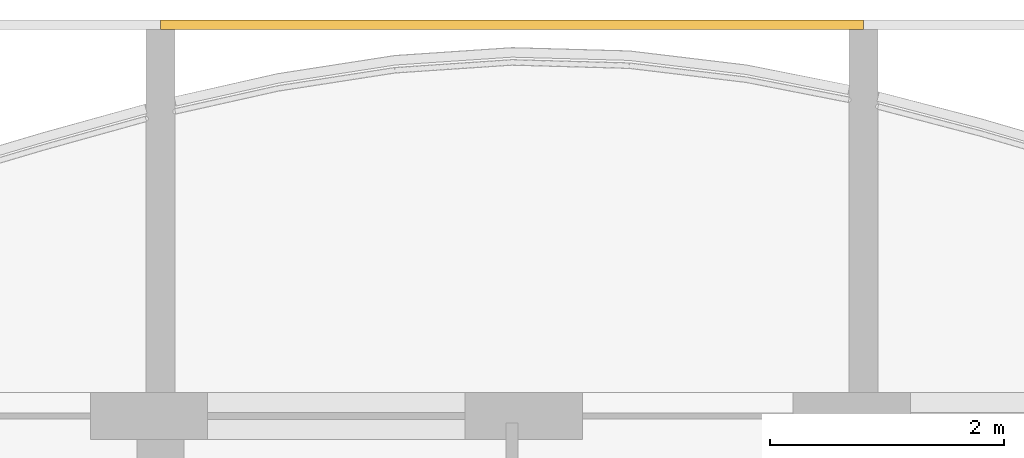
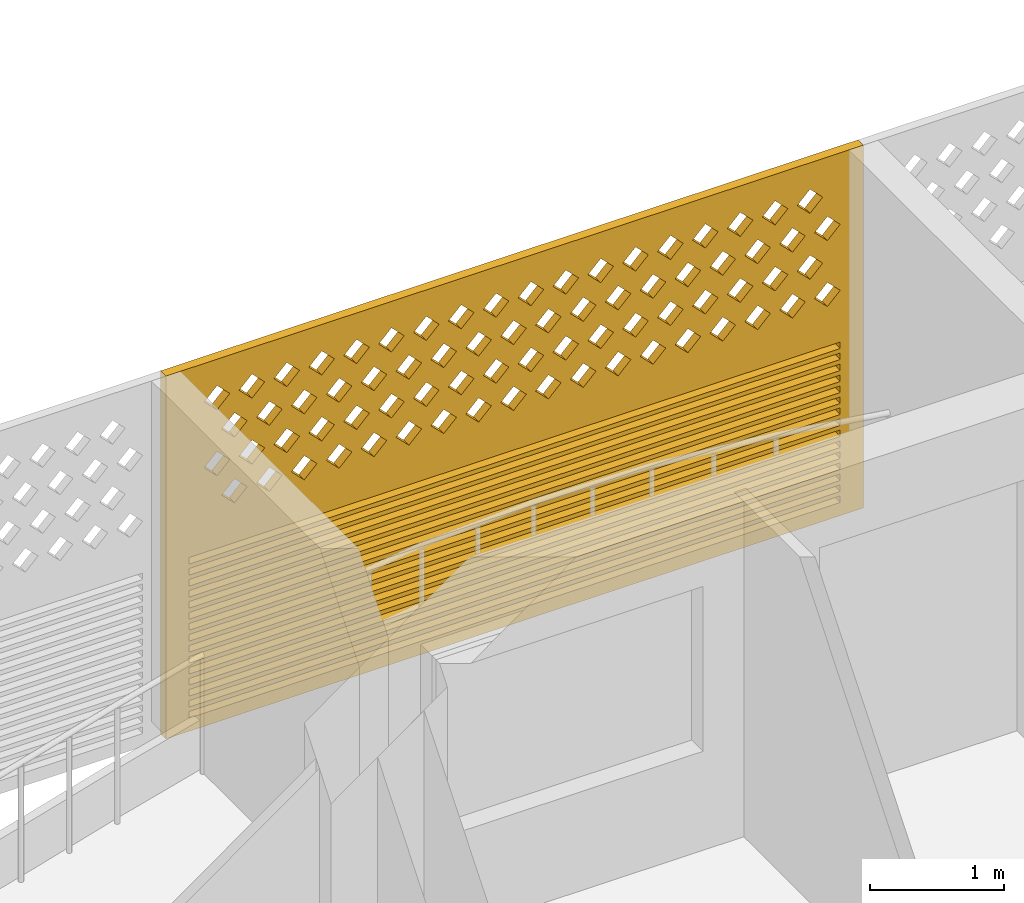
# One storey, part 38 of 40: 1 covering.
"""IFC4 building model written with IfcOpenShell, lengths in metres."""

import ifcopenshell
import ifcopenshell.guid

model = None  # the IFC model being written
_history = None  # IfcOwnerHistory: only IFC2X3 demands one
_inside = {}  # id of a spatial element -> (the spatial element, [elements in it])
_under = {}  # id of a project, library or spatial element -> (it, [spatial elements below it])
_declared = {}  # id of a project -> (the project, [libraries it declares])
_typed = {}  # id of a type object -> (the type object, [elements of that type])
_made_of = {}  # id of a material, layer set ... -> (it, [elements and type objects made of it])


def new_model(schema):
    """Start an empty IFC model of exactly this schema.

    Asked for "IFC4X3", IfcOpenShell would pick the latest addendum, in which some entities
    have other attributes; the version numbers below select the first issue.
    IFC2X3 requires an IfcOwnerHistory on every rooted entity: one is made here for all.
    """
    global model, _history
    if schema == "IFC4X3":
        model = ifcopenshell.file(schema_version=(4, 3, 0, 0))
    else:
        model = ifcopenshell.file(schema=schema)
    _inside.clear()
    _under.clear()
    _declared.clear()
    _typed.clear()
    _made_of.clear()
    _history = None
    if model.schema == "IFC2X3":
        org = make("IfcOrganization", Name="unknown")
        user = make(
            "IfcPersonAndOrganization",
            ThePerson=make("IfcPerson", FamilyName="unknown"),
            TheOrganization=org,
        )
        app = make(
            "IfcApplication",
            ApplicationDeveloper=org,
            Version="unknown",
            ApplicationFullName="unknown",
            ApplicationIdentifier="unknown",
        )
        _history = make(
            "IfcOwnerHistory",
            OwningUser=user,
            OwningApplication=app,
            ChangeAction="ADDED",
            CreationDate=0,
        )
    return model


def make(cls, **values):
    """One entity of the class cls with the attributes given. An attribute that is None is left unset."""
    return model.create_entity(
        cls, **{name: value for name, value in values.items() if value is not None}
    )


def rooted(cls, **values):
    """An entity with a GlobalId (a new one), such as an element, a storey or a relation."""
    return make(cls, GlobalId=ifcopenshell.guid.new(), OwnerHistory=_history, **values)


def si_unit(unit_type, name, prefix=None):
    """IfcSIUnit, for example si_unit("LENGTHUNIT", "METRE", prefix="MILLI")."""
    return make("IfcSIUnit", UnitType=unit_type, Prefix=prefix, Name=name)


def assignment(units):
    """IfcUnitAssignment: the units of a project."""
    return None if units is None else make("IfcUnitAssignment", Units=units)


def point(xyz):
    """IfcCartesianPoint."""
    return None if xyz is None else make("IfcCartesianPoint", Coordinates=xyz)


def direction(xyz):
    """IfcDirection."""
    return None if xyz is None else make("IfcDirection", DirectionRatios=xyz)


def frame(location, z_axis=None, x_axis=None):
    """IfcAxis2Placement3D, a coordinate frame: its origin and axes. An axis left out is left unset."""
    return make(
        "IfcAxis2Placement3D",
        Location=point(location),
        Axis=direction(z_axis),
        RefDirection=direction(x_axis),
    )


def origin():
    """The frame at (0, 0, 0) with its axes left unset."""
    return frame((0.0, 0.0, 0.0))


def place(relative_to, where):
    """IfcLocalPlacement: puts the frame where relative to a parent placement (None: the world)."""
    return make(
        "IfcLocalPlacement", PlacementRelTo=relative_to, RelativePlacement=where
    )


def context(
    kind, dimensions, precision=None, world=None, true_north=None, identifier=None
):
    """IfcGeometricRepresentationContext, for example the 3D "Model" context."""
    return make(
        "IfcGeometricRepresentationContext",
        ContextIdentifier=identifier,
        ContextType=kind,
        CoordinateSpaceDimension=dimensions,
        Precision=precision,
        WorldCoordinateSystem=world,
        TrueNorth=true_north,
    )


def subcontext(parent, identifier, kind, view, scale=None):
    """IfcGeometricRepresentationSubContext, for example "Body" below "Model"."""
    return make(
        "IfcGeometricRepresentationSubContext",
        ContextIdentifier=identifier,
        ContextType=kind,
        ParentContext=parent,
        TargetScale=scale,
        TargetView=view,
    )


def project(units=None, contexts=None):
    """IfcProject with its units and contexts."""
    return rooted(
        "IfcProject",
        Name="project",
        RepresentationContexts=contexts,
        UnitsInContext=assignment(units),
    )


def spatial(cls, under=None, at=None, **own):
    """A site, building, storey or space (cls), placed at a placement, below another one or the project."""
    s = rooted(cls, ObjectPlacement=at, **own)
    if under is not None:
        _under.setdefault(under.id(), (under, []))[1].append(s)
    return s


def polyline(points):
    """IfcPolyline through the points."""
    return make("IfcPolyline", Points=[point(p) for p in points])


def outline(outer, holes=None, kind="AREA"):
    """IfcArbitraryClosedProfileDef: a profile drawn as a closed curve; with holes, ...WithVoids."""
    if holes is None:
        return make("IfcArbitraryClosedProfileDef", ProfileType=kind, OuterCurve=outer)
    return make(
        "IfcArbitraryProfileDefWithVoids",
        ProfileType=kind,
        OuterCurve=outer,
        InnerCurves=holes,
    )


def extrude(swept, where, along, depth):
    """IfcExtrudedAreaSolid: the profile swept, set in the frame where, extruded along a direction by depth."""
    return make(
        "IfcExtrudedAreaSolid",
        SweptArea=swept,
        Position=where,
        ExtrudedDirection=direction(along),
        Depth=depth,
    )


def shape(context_of_items, identifier, shape_type, items):
    """IfcShapeRepresentation: the items that make up one representation, for example the "Body"."""
    return make(
        "IfcShapeRepresentation",
        ContextOfItems=context_of_items,
        RepresentationIdentifier=identifier,
        RepresentationType=shape_type,
        Items=items,
    )


def source(mapping_origin, context_of_items, identifier, shape_type, items):
    """IfcRepresentationMap: a shape defined once, which mapped items show again and again."""
    return make(
        "IfcRepresentationMap",
        MappingOrigin=mapping_origin,
        MappedRepresentation=shape(context_of_items, identifier, shape_type, items),
    )


def transform(
    local_origin,
    x_axis=None,
    y_axis=None,
    z_axis=None,
    scale=None,
    scale2=None,
    scale3=None,
    uniform=True,
):
    """IfcCartesianTransformationOperator3D, or its non-uniform kind. x_axis, y_axis, z_axis: its Axis1, 2, 3."""
    if uniform:
        return make(
            "IfcCartesianTransformationOperator3D",
            Axis1=direction(x_axis),
            Axis2=direction(y_axis),
            LocalOrigin=point(local_origin),
            Scale=scale,
            Axis3=direction(z_axis),
        )
    return make(
        "IfcCartesianTransformationOperator3DnonUniform",
        Axis1=direction(x_axis),
        Axis2=direction(y_axis),
        LocalOrigin=point(local_origin),
        Scale=scale,
        Axis3=direction(z_axis),
        Scale2=scale2,
        Scale3=scale3,
    )


def mapped(mapping_source, mapping_target):
    """IfcMappedItem: shows the shape of a source again, moved by a transform."""
    return make(
        "IfcMappedItem", MappingSource=mapping_source, MappingTarget=mapping_target
    )


def material(Name=None, Category=None):
    """IfcMaterial."""
    return make("IfcMaterial", Name=Name, Category=Category)


def material_profile(
    of_material, cross_section, Name=None, Category=None, Priority=None
):
    """IfcMaterialProfile: a cross section and its material."""
    return make(
        "IfcMaterialProfile",
        Name=Name,
        Material=of_material,
        Profile=cross_section,
        Priority=Priority,
        Category=Category,
    )


def profile_set(profiles, Name=None, composite=None):
    """IfcMaterialProfileSet."""
    return make(
        "IfcMaterialProfileSet",
        Name=Name,
        MaterialProfiles=profiles,
        CompositeProfile=composite,
    )


def made_of(thing, what):
    """Note that an element or type object is made of a material, layer set ...; save() writes the relation."""
    if what is not None:
        _made_of.setdefault(what.id(), (what, []))[1].append(thing)
    return thing


def type_object(cls, material=None, **own):
    """A type object (cls), such as IfcWallType, which elements share."""
    return made_of(rooted(cls, **own), material)


def element(
    cls,
    number,
    at=None,
    inside=None,
    cuts=None,
    type_object=None,
    material=None,
    context=None,
    identifier="Body",
    shape_type=None,
    held_by="IfcProductDefinitionShape",
    body=None,
    shapes=None,
    **own,
):
    """One element of the class cls, such as IfcWall. Its Tag is "e" and its number.

    at: its placement. inside: the storey or other place that contains it. cuts: it is an
    opening in that element (IfcRelVoidsElement). A single representation is given by context,
    identifier, shape_type and body (its items); several are given by shapes. held_by: the class
    of the entity that holds the representations. save() writes the other relations.
    """
    e = rooted(cls, Tag="e%d" % number, ObjectPlacement=at, **own)
    if body is not None:
        shapes = [shape(context, identifier, shape_type, body)]
    if shapes is not None:
        e.Representation = make(held_by, Representations=shapes)
    if inside is not None:
        _inside.setdefault(inside.id(), (inside, []))[1].append(e)
    if cuts is not None:
        rooted(
            "IfcRelVoidsElement", RelatingBuildingElement=cuts, RelatedOpeningElement=e
        )
    if type_object is not None:
        _typed.setdefault(type_object.id(), (type_object, []))[1].append(e)
    return made_of(e, material)


def aggregate(whole, parts):
    """IfcRelAggregates: a whole, such as a stair, and the parts it consists of."""
    return rooted("IfcRelAggregates", RelatingObject=whole, RelatedObjects=parts)


def save(model, path):
    """Write the relations noted so far, then the file.

    IfcRelAggregates (storeys below a building ...), IfcRelContainedInSpatialStructure (elements
    in a storey), IfcRelDefinesByType, IfcRelAssociatesMaterial and IfcRelDeclares: one each for
    every whole, place, type object, material and project.
    """
    for whole, parts in _under.values():
        aggregate(whole, parts)
    for where, things in _inside.values():
        rooted(
            "IfcRelContainedInSpatialStructure",
            RelatedElements=things,
            RelatingStructure=where,
        )
    for kind, things in _typed.values():
        rooted("IfcRelDefinesByType", RelatedObjects=things, RelatingType=kind)
    for what, things in _made_of.values():
        rooted("IfcRelAssociatesMaterial", RelatedObjects=things, RelatingMaterial=what)
    for by, libraries in _declared.values():
        rooted("IfcRelDeclares", RelatingContext=by, RelatedDefinitions=libraries)
    model.write(path)


model = new_model("IFC4")

# Units and contexts
model_context = context("Model", 3, precision=1e-05, world=origin(), true_north=direction((0.0, 1.0)))
body_context = subcontext(model_context, "Body", "Model", "MODEL_VIEW")
ifc_project = project(units=[si_unit("LENGTHUNIT", "METRE"), si_unit("AREAUNIT", "SQUARE_METRE"), si_unit("VOLUMEUNIT", "CUBIC_METRE"), si_unit("PLANEANGLEUNIT", "RADIAN"), si_unit("MASSUNIT", "GRAM", prefix="KILO")], contexts=[model_context])

# Site, building, storey
site_placement = place(None, origin())
site = spatial("IfcSite", under=ifc_project, at=site_placement, CompositionType="ELEMENT")
building_placement = place(site_placement, origin())
building = spatial("IfcBuilding", under=site, at=building_placement, Name="Poui Terraces", CompositionType="ELEMENT")
storey_placement = place(building_placement, frame((0.0, 0.0, 36.60009765625)))
storey = spatial("IfcBuildingStorey", under=building, at=storey_placement, Name="L09", CompositionType="ELEMENT", Elevation=36.60009765625)

# Covering
ifc_material = material(Name="Terracotta screen", Category="masonry")
ifc_material_profile = material_profile(ifc_material, outline(polyline([(-3.0, -1.64990234375), (3.0, -1.64990234375), (3.0, 1.64990234375), (-3.0, 1.64990234375), (-3.0, -1.64990234375)]), holes=[polyline([(-2.800048828125, 0.39990234375), (-2.68994140625, 0.2900390625), (-2.580078125, 0.39990234375), (-2.68994140625, 0.510009765625), (-2.800048828125, 0.39990234375)]), polyline([(-2.5, 0.39990234375), (-2.389892578125, 0.2900390625), (-2.280029296875, 0.39990234375), (-2.389892578125, 0.510009765625), (-2.5, 0.39990234375)]), polyline([(-2.199951171875, 0.39990234375), (-2.090087890625, 0.2900390625), (-1.97998046875, 0.39990234375), (-2.090087890625, 0.510009765625), (-2.199951171875, 0.39990234375)]), polyline([(-1.89990234375, 0.39990234375), (-1.7900390625, 0.2900390625), (-1.679931640625, 0.39990234375), (-1.7900390625, 0.510009765625), (-1.89990234375, 0.39990234375)]), polyline([(-1.60009765625, 0.39990234375), (-1.489990234375, 0.2900390625), (-1.3798828125, 0.39990234375), (-1.489990234375, 0.510009765625), (-1.60009765625, 0.39990234375)]), polyline([(-1.300048828125, 0.39990234375), (-1.18994140625, 0.2900390625), (-1.080078125, 0.39990234375), (-1.18994140625, 0.510009765625), (-1.300048828125, 0.39990234375)]), polyline([(-1.0, 0.39990234375), (-0.889892578125, 0.2900390625), (-0.780029296875, 0.39990234375), (-0.889892578125, 0.510009765625), (-1.0, 0.39990234375)]), polyline([(-0.699951171875, 0.39990234375), (-0.590087890625, 0.2900390625), (-0.47998046875, 0.39990234375), (-0.590087890625, 0.510009765625), (-0.699951171875, 0.39990234375)]), polyline([(-0.39990234375, 0.39990234375), (-0.2900390625, 0.2900390625), (-0.179931640625, 0.39990234375), (-0.2900390625, 0.510009765625), (-0.39990234375, 0.39990234375)]), polyline([(-0.10009765625, 0.39990234375), (0.010009765625, 0.2900390625), (0.1201171875, 0.39990234375), (0.010009765625, 0.510009765625), (-0.10009765625, 0.39990234375)]), polyline([(0.199951171875, 0.39990234375), (0.31005859375, 0.2900390625), (0.419921875, 0.39990234375), (0.31005859375, 0.510009765625), (0.199951171875, 0.39990234375)]), polyline([(0.5, 0.39990234375), (0.610107421875, 0.2900390625), (0.719970703125, 0.39990234375), (0.610107421875, 0.510009765625), (0.5, 0.39990234375)]), polyline([(0.800048828125, 0.39990234375), (0.909912109375, 0.2900390625), (1.02001953125, 0.39990234375), (0.909912109375, 0.510009765625), (0.800048828125, 0.39990234375)]), polyline([(1.10009765625, 0.39990234375), (1.2099609375, 0.2900390625), (1.320068359375, 0.39990234375), (1.2099609375, 0.510009765625), (1.10009765625, 0.39990234375)]), polyline([(1.39990234375, 0.39990234375), (1.510009765625, 0.2900390625), (1.6201171875, 0.39990234375), (1.510009765625, 0.510009765625), (1.39990234375, 0.39990234375)]), polyline([(1.699951171875, 0.39990234375), (1.81005859375, 0.2900390625), (1.919921875, 0.39990234375), (1.81005859375, 0.510009765625), (1.699951171875, 0.39990234375)]), polyline([(2.0, 0.39990234375), (2.110107421875, 0.2900390625), (2.219970703125, 0.39990234375), (2.110107421875, 0.510009765625), (2.0, 0.39990234375)]), polyline([(2.300048828125, 0.39990234375), (2.409912109375, 0.2900390625), (2.52001953125, 0.39990234375), (2.409912109375, 0.510009765625), (2.300048828125, 0.39990234375)]), polyline([(-2.64990234375, 0.699951171875), (-2.5400390625, 0.590087890625), (-2.429931640625, 0.699951171875), (-2.5400390625, 0.81005859375), (-2.64990234375, 0.699951171875)]), polyline([(-2.35009765625, 0.699951171875), (-2.239990234375, 0.590087890625), (-2.1298828125, 0.699951171875), (-2.239990234375, 0.81005859375), (-2.35009765625, 0.699951171875)]), polyline([(-2.050048828125, 0.699951171875), (-1.93994140625, 0.590087890625), (-1.830078125, 0.699951171875), (-1.93994140625, 0.81005859375), (-2.050048828125, 0.699951171875)]), polyline([(-1.75, 0.699951171875), (-1.639892578125, 0.590087890625), (-1.530029296875, 0.699951171875), (-1.639892578125, 0.81005859375), (-1.75, 0.699951171875)]), polyline([(-1.449951171875, 0.699951171875), (-1.340087890625, 0.590087890625), (-1.22998046875, 0.699951171875), (-1.340087890625, 0.81005859375), (-1.449951171875, 0.699951171875)]), polyline([(-1.14990234375, 0.699951171875), (-1.0400390625, 0.590087890625), (-0.929931640625, 0.699951171875), (-1.0400390625, 0.81005859375), (-1.14990234375, 0.699951171875)]), polyline([(-0.85009765625, 0.699951171875), (-0.739990234375, 0.590087890625), (-0.6298828125, 0.699951171875), (-0.739990234375, 0.81005859375), (-0.85009765625, 0.699951171875)]), polyline([(-0.550048828125, 0.699951171875), (-0.43994140625, 0.590087890625), (-0.330078125, 0.699951171875), (-0.43994140625, 0.81005859375), (-0.550048828125, 0.699951171875)]), polyline([(-0.25, 0.699951171875), (-0.139892578125, 0.590087890625), (-0.030029296875, 0.699951171875), (-0.139892578125, 0.81005859375), (-0.25, 0.699951171875)]), polyline([(0.050048828125, 0.699951171875), (0.159912109375, 0.590087890625), (0.27001953125, 0.699951171875), (0.159912109375, 0.81005859375), (0.050048828125, 0.699951171875)]), polyline([(0.35009765625, 0.699951171875), (0.4599609375, 0.590087890625), (0.570068359375, 0.699951171875), (0.4599609375, 0.81005859375), (0.35009765625, 0.699951171875)]), polyline([(0.64990234375, 0.699951171875), (0.760009765625, 0.590087890625), (0.8701171875, 0.699951171875), (0.760009765625, 0.81005859375), (0.64990234375, 0.699951171875)]), polyline([(0.949951171875, 0.699951171875), (1.06005859375, 0.590087890625), (1.169921875, 0.699951171875), (1.06005859375, 0.81005859375), (0.949951171875, 0.699951171875)]), polyline([(1.25, 0.699951171875), (1.360107421875, 0.590087890625), (1.469970703125, 0.699951171875), (1.360107421875, 0.81005859375), (1.25, 0.699951171875)]), polyline([(1.550048828125, 0.699951171875), (1.659912109375, 0.590087890625), (1.77001953125, 0.699951171875), (1.659912109375, 0.81005859375), (1.550048828125, 0.699951171875)]), polyline([(1.85009765625, 0.699951171875), (1.9599609375, 0.590087890625), (2.070068359375, 0.699951171875), (1.9599609375, 0.81005859375), (1.85009765625, 0.699951171875)]), polyline([(2.14990234375, 0.699951171875), (2.260009765625, 0.590087890625), (2.3701171875, 0.699951171875), (2.260009765625, 0.81005859375), (2.14990234375, 0.699951171875)]), polyline([(2.449951171875, 0.699951171875), (2.56005859375, 0.590087890625), (2.669921875, 0.699951171875), (2.56005859375, 0.81005859375), (2.449951171875, 0.699951171875)]), polyline([(-2.800048828125, 1.0), (-2.68994140625, 0.889892578125), (-2.580078125, 1.0), (-2.68994140625, 1.110107421875), (-2.800048828125, 1.0)]), polyline([(-2.5, 1.0), (-2.389892578125, 0.889892578125), (-2.280029296875, 1.0), (-2.389892578125, 1.110107421875), (-2.5, 1.0)]), polyline([(-2.199951171875, 1.0), (-2.090087890625, 0.889892578125), (-1.97998046875, 1.0), (-2.090087890625, 1.110107421875), (-2.199951171875, 1.0)]), polyline([(-1.89990234375, 1.0), (-1.7900390625, 0.889892578125), (-1.679931640625, 1.0), (-1.7900390625, 1.110107421875), (-1.89990234375, 1.0)]), polyline([(-1.60009765625, 1.0), (-1.489990234375, 0.889892578125), (-1.3798828125, 1.0), (-1.489990234375, 1.110107421875), (-1.60009765625, 1.0)]), polyline([(-1.300048828125, 1.0), (-1.18994140625, 0.889892578125), (-1.080078125, 1.0), (-1.18994140625, 1.110107421875), (-1.300048828125, 1.0)]), polyline([(-1.0, 1.0), (-0.889892578125, 0.889892578125), (-0.780029296875, 1.0), (-0.889892578125, 1.110107421875), (-1.0, 1.0)]), polyline([(-0.699951171875, 1.0), (-0.590087890625, 0.889892578125), (-0.47998046875, 1.0), (-0.590087890625, 1.110107421875), (-0.699951171875, 1.0)]), polyline([(-0.39990234375, 1.0), (-0.2900390625, 0.889892578125), (-0.179931640625, 1.0), (-0.2900390625, 1.110107421875), (-0.39990234375, 1.0)]), polyline([(-0.10009765625, 1.0), (0.010009765625, 0.889892578125), (0.1201171875, 1.0), (0.010009765625, 1.110107421875), (-0.10009765625, 1.0)]), polyline([(0.199951171875, 1.0), (0.31005859375, 0.889892578125), (0.419921875, 1.0), (0.31005859375, 1.110107421875), (0.199951171875, 1.0)]), polyline([(0.5, 1.0), (0.610107421875, 0.889892578125), (0.719970703125, 1.0), (0.610107421875, 1.110107421875), (0.5, 1.0)]), polyline([(0.800048828125, 1.0), (0.909912109375, 0.889892578125), (1.02001953125, 1.0), (0.909912109375, 1.110107421875), (0.800048828125, 1.0)]), polyline([(1.10009765625, 1.0), (1.2099609375, 0.889892578125), (1.320068359375, 1.0), (1.2099609375, 1.110107421875), (1.10009765625, 1.0)]), polyline([(1.39990234375, 1.0), (1.510009765625, 0.889892578125), (1.6201171875, 1.0), (1.510009765625, 1.110107421875), (1.39990234375, 1.0)]), polyline([(1.699951171875, 1.0), (1.81005859375, 0.889892578125), (1.919921875, 1.0), (1.81005859375, 1.110107421875), (1.699951171875, 1.0)]), polyline([(2.0, 1.0), (2.110107421875, 0.889892578125), (2.219970703125, 1.0), (2.110107421875, 1.110107421875), (2.0, 1.0)]), polyline([(2.300048828125, 1.0), (2.409912109375, 0.889892578125), (2.52001953125, 1.0), (2.409912109375, 1.110107421875), (2.300048828125, 1.0)]), polyline([(-2.64990234375, 1.300048828125), (-2.5400390625, 1.18994140625), (-2.429931640625, 1.300048828125), (-2.5400390625, 1.409912109375), (-2.64990234375, 1.300048828125)]), polyline([(-2.35009765625, 1.300048828125), (-2.239990234375, 1.18994140625), (-2.1298828125, 1.300048828125), (-2.239990234375, 1.409912109375), (-2.35009765625, 1.300048828125)]), polyline([(-2.050048828125, 1.300048828125), (-1.93994140625, 1.18994140625), (-1.830078125, 1.300048828125), (-1.93994140625, 1.409912109375), (-2.050048828125, 1.300048828125)]), polyline([(-1.75, 1.300048828125), (-1.639892578125, 1.18994140625), (-1.530029296875, 1.300048828125), (-1.639892578125, 1.409912109375), (-1.75, 1.300048828125)]), polyline([(-1.449951171875, 1.300048828125), (-1.340087890625, 1.18994140625), (-1.22998046875, 1.300048828125), (-1.340087890625, 1.409912109375), (-1.449951171875, 1.300048828125)]), polyline([(-1.14990234375, 1.300048828125), (-1.0400390625, 1.18994140625), (-0.929931640625, 1.300048828125), (-1.0400390625, 1.409912109375), (-1.14990234375, 1.300048828125)]), polyline([(-0.85009765625, 1.300048828125), (-0.739990234375, 1.18994140625), (-0.6298828125, 1.300048828125), (-0.739990234375, 1.409912109375), (-0.85009765625, 1.300048828125)]), polyline([(-0.550048828125, 1.300048828125), (-0.43994140625, 1.18994140625), (-0.330078125, 1.300048828125), (-0.43994140625, 1.409912109375), (-0.550048828125, 1.300048828125)]), polyline([(-0.25, 1.300048828125), (-0.139892578125, 1.18994140625), (-0.030029296875, 1.300048828125), (-0.139892578125, 1.409912109375), (-0.25, 1.300048828125)]), polyline([(0.050048828125, 1.300048828125), (0.159912109375, 1.18994140625), (0.27001953125, 1.300048828125), (0.159912109375, 1.409912109375), (0.050048828125, 1.300048828125)]), polyline([(0.35009765625, 1.300048828125), (0.4599609375, 1.18994140625), (0.570068359375, 1.300048828125), (0.4599609375, 1.409912109375), (0.35009765625, 1.300048828125)]), polyline([(0.64990234375, 1.300048828125), (0.760009765625, 1.18994140625), (0.8701171875, 1.300048828125), (0.760009765625, 1.409912109375), (0.64990234375, 1.300048828125)]), polyline([(0.949951171875, 1.300048828125), (1.06005859375, 1.18994140625), (1.169921875, 1.300048828125), (1.06005859375, 1.409912109375), (0.949951171875, 1.300048828125)]), polyline([(1.25, 1.300048828125), (1.360107421875, 1.18994140625), (1.469970703125, 1.300048828125), (1.360107421875, 1.409912109375), (1.25, 1.300048828125)]), polyline([(1.550048828125, 1.300048828125), (1.659912109375, 1.18994140625), (1.77001953125, 1.300048828125), (1.659912109375, 1.409912109375), (1.550048828125, 1.300048828125)]), polyline([(1.85009765625, 1.300048828125), (1.9599609375, 1.18994140625), (2.070068359375, 1.300048828125), (1.9599609375, 1.409912109375), (1.85009765625, 1.300048828125)]), polyline([(2.14990234375, 1.300048828125), (2.260009765625, 1.18994140625), (2.3701171875, 1.300048828125), (2.260009765625, 1.409912109375), (2.14990234375, 1.300048828125)]), polyline([(2.449951171875, 1.300048828125), (2.56005859375, 1.18994140625), (2.669921875, 1.300048828125), (2.56005859375, 1.409912109375), (2.449951171875, 1.300048828125)]), polyline([(-2.800048828125, -1.530029296875), (2.800048828125, -1.530029296875), (2.800048828125, -1.469970703125), (-2.800048828125, -1.469970703125), (-2.800048828125, -1.530029296875)]), polyline([(-2.800048828125, -1.429931640625), (2.800048828125, -1.429931640625), (2.800048828125, -1.3701171875), (-2.800048828125, -1.3701171875), (-2.800048828125, -1.429931640625)]), polyline([(-2.800048828125, -1.330078125), (2.800048828125, -1.330078125), (2.800048828125, -1.27001953125), (-2.800048828125, -1.27001953125), (-2.800048828125, -1.330078125)]), polyline([(-2.800048828125, -1.22998046875), (2.800048828125, -1.22998046875), (2.800048828125, -1.169921875), (-2.800048828125, -1.169921875), (-2.800048828125, -1.22998046875)]), polyline([(-2.800048828125, -1.1298828125), (2.800048828125, -1.1298828125), (2.800048828125, -1.070068359375), (-2.800048828125, -1.070068359375), (-2.800048828125, -1.1298828125)]), polyline([(-2.800048828125, -1.030029296875), (2.800048828125, -1.030029296875), (2.800048828125, -0.969970703125), (-2.800048828125, -0.969970703125), (-2.800048828125, -1.030029296875)]), polyline([(-2.800048828125, -0.929931640625), (2.800048828125, -0.929931640625), (2.800048828125, -0.8701171875), (-2.800048828125, -0.8701171875), (-2.800048828125, -0.929931640625)]), polyline([(-2.800048828125, -0.830078125), (2.800048828125, -0.830078125), (2.800048828125, -0.77001953125), (-2.800048828125, -0.77001953125), (-2.800048828125, -0.830078125)]), polyline([(-2.800048828125, -0.72998046875), (2.800048828125, -0.72998046875), (2.800048828125, -0.669921875), (-2.800048828125, -0.669921875), (-2.800048828125, -0.72998046875)]), polyline([(-2.800048828125, -0.6298828125), (2.800048828125, -0.6298828125), (2.800048828125, -0.570068359375), (-2.800048828125, -0.570068359375), (-2.800048828125, -0.6298828125)]), polyline([(-2.800048828125, -0.530029296875), (2.800048828125, -0.530029296875), (2.800048828125, -0.469970703125), (-2.800048828125, -0.469970703125), (-2.800048828125, -0.530029296875)]), polyline([(-2.800048828125, -0.429931640625), (2.800048828125, -0.429931640625), (2.800048828125, -0.3701171875), (-2.800048828125, -0.3701171875), (-2.800048828125, -0.429931640625)]), polyline([(-2.800048828125, -0.330078125), (2.800048828125, -0.330078125), (2.800048828125, -0.27001953125), (-2.800048828125, -0.27001953125), (-2.800048828125, -0.330078125)]), polyline([(-2.800048828125, -0.22998046875), (2.800048828125, -0.22998046875), (2.800048828125, -0.169921875), (-2.800048828125, -0.169921875), (-2.800048828125, -0.22998046875)]), polyline([(-2.800048828125, -0.1298828125), (2.800048828125, -0.1298828125), (2.800048828125, -0.070068359375), (-2.800048828125, -0.070068359375), (-2.800048828125, -0.1298828125)])]), Name="TERRACOTTA SCREEN AND JALOUSIE LOUVRE 6000X3300")
ifc_profile_set = profile_set([ifc_material_profile], Name="Terracotta screen")
covering_type = type_object("IfcCoveringType", Name="TERRACOTTA SCREEN AND JALOUSIE LOUVRE 6000X3300", PredefinedType="CLADDING", material=ifc_profile_set)
shared_shape = source(origin(), body_context, "Body", "SweptSolid", [
    extrude(outline(polyline([(-3.0, -1.64990234375), (3.0, -1.64990234375), (3.0, 1.64990234375), (-3.0, 1.64990234375), (-3.0, -1.64990234375)]), holes=[polyline([(-2.800048828125, 0.39990234375), (-2.68994140625, 0.2900390625), (-2.580078125, 0.39990234375), (-2.68994140625, 0.510009765625), (-2.800048828125, 0.39990234375)]), polyline([(-2.5, 0.39990234375), (-2.389892578125, 0.2900390625), (-2.280029296875, 0.39990234375), (-2.389892578125, 0.510009765625), (-2.5, 0.39990234375)]), polyline([(-2.199951171875, 0.39990234375), (-2.090087890625, 0.2900390625), (-1.97998046875, 0.39990234375), (-2.090087890625, 0.510009765625), (-2.199951171875, 0.39990234375)]), polyline([(-1.89990234375, 0.39990234375), (-1.7900390625, 0.2900390625), (-1.679931640625, 0.39990234375), (-1.7900390625, 0.510009765625), (-1.89990234375, 0.39990234375)]), polyline([(-1.60009765625, 0.39990234375), (-1.489990234375, 0.2900390625), (-1.3798828125, 0.39990234375), (-1.489990234375, 0.510009765625), (-1.60009765625, 0.39990234375)]), polyline([(-1.300048828125, 0.39990234375), (-1.18994140625, 0.2900390625), (-1.080078125, 0.39990234375), (-1.18994140625, 0.510009765625), (-1.300048828125, 0.39990234375)]), polyline([(-1.0, 0.39990234375), (-0.889892578125, 0.2900390625), (-0.780029296875, 0.39990234375), (-0.889892578125, 0.510009765625), (-1.0, 0.39990234375)]), polyline([(-0.699951171875, 0.39990234375), (-0.590087890625, 0.2900390625), (-0.47998046875, 0.39990234375), (-0.590087890625, 0.510009765625), (-0.699951171875, 0.39990234375)]), polyline([(-0.39990234375, 0.39990234375), (-0.2900390625, 0.2900390625), (-0.179931640625, 0.39990234375), (-0.2900390625, 0.510009765625), (-0.39990234375, 0.39990234375)]), polyline([(-0.10009765625, 0.39990234375), (0.010009765625, 0.2900390625), (0.1201171875, 0.39990234375), (0.010009765625, 0.510009765625), (-0.10009765625, 0.39990234375)]), polyline([(0.199951171875, 0.39990234375), (0.31005859375, 0.2900390625), (0.419921875, 0.39990234375), (0.31005859375, 0.510009765625), (0.199951171875, 0.39990234375)]), polyline([(0.5, 0.39990234375), (0.610107421875, 0.2900390625), (0.719970703125, 0.39990234375), (0.610107421875, 0.510009765625), (0.5, 0.39990234375)]), polyline([(0.800048828125, 0.39990234375), (0.909912109375, 0.2900390625), (1.02001953125, 0.39990234375), (0.909912109375, 0.510009765625), (0.800048828125, 0.39990234375)]), polyline([(1.10009765625, 0.39990234375), (1.2099609375, 0.2900390625), (1.320068359375, 0.39990234375), (1.2099609375, 0.510009765625), (1.10009765625, 0.39990234375)]), polyline([(1.39990234375, 0.39990234375), (1.510009765625, 0.2900390625), (1.6201171875, 0.39990234375), (1.510009765625, 0.510009765625), (1.39990234375, 0.39990234375)]), polyline([(1.699951171875, 0.39990234375), (1.81005859375, 0.2900390625), (1.919921875, 0.39990234375), (1.81005859375, 0.510009765625), (1.699951171875, 0.39990234375)]), polyline([(2.0, 0.39990234375), (2.110107421875, 0.2900390625), (2.219970703125, 0.39990234375), (2.110107421875, 0.510009765625), (2.0, 0.39990234375)]), polyline([(2.300048828125, 0.39990234375), (2.409912109375, 0.2900390625), (2.52001953125, 0.39990234375), (2.409912109375, 0.510009765625), (2.300048828125, 0.39990234375)]), polyline([(-2.64990234375, 0.699951171875), (-2.5400390625, 0.590087890625), (-2.429931640625, 0.699951171875), (-2.5400390625, 0.81005859375), (-2.64990234375, 0.699951171875)]), polyline([(-2.35009765625, 0.699951171875), (-2.239990234375, 0.590087890625), (-2.1298828125, 0.699951171875), (-2.239990234375, 0.81005859375), (-2.35009765625, 0.699951171875)]), polyline([(-2.050048828125, 0.699951171875), (-1.93994140625, 0.590087890625), (-1.830078125, 0.699951171875), (-1.93994140625, 0.81005859375), (-2.050048828125, 0.699951171875)]), polyline([(-1.75, 0.699951171875), (-1.639892578125, 0.590087890625), (-1.530029296875, 0.699951171875), (-1.639892578125, 0.81005859375), (-1.75, 0.699951171875)]), polyline([(-1.449951171875, 0.699951171875), (-1.340087890625, 0.590087890625), (-1.22998046875, 0.699951171875), (-1.340087890625, 0.81005859375), (-1.449951171875, 0.699951171875)]), polyline([(-1.14990234375, 0.699951171875), (-1.0400390625, 0.590087890625), (-0.929931640625, 0.699951171875), (-1.0400390625, 0.81005859375), (-1.14990234375, 0.699951171875)]), polyline([(-0.85009765625, 0.699951171875), (-0.739990234375, 0.590087890625), (-0.6298828125, 0.699951171875), (-0.739990234375, 0.81005859375), (-0.85009765625, 0.699951171875)]), polyline([(-0.550048828125, 0.699951171875), (-0.43994140625, 0.590087890625), (-0.330078125, 0.699951171875), (-0.43994140625, 0.81005859375), (-0.550048828125, 0.699951171875)]), polyline([(-0.25, 0.699951171875), (-0.139892578125, 0.590087890625), (-0.030029296875, 0.699951171875), (-0.139892578125, 0.81005859375), (-0.25, 0.699951171875)]), polyline([(0.050048828125, 0.699951171875), (0.159912109375, 0.590087890625), (0.27001953125, 0.699951171875), (0.159912109375, 0.81005859375), (0.050048828125, 0.699951171875)]), polyline([(0.35009765625, 0.699951171875), (0.4599609375, 0.590087890625), (0.570068359375, 0.699951171875), (0.4599609375, 0.81005859375), (0.35009765625, 0.699951171875)]), polyline([(0.64990234375, 0.699951171875), (0.760009765625, 0.590087890625), (0.8701171875, 0.699951171875), (0.760009765625, 0.81005859375), (0.64990234375, 0.699951171875)]), polyline([(0.949951171875, 0.699951171875), (1.06005859375, 0.590087890625), (1.169921875, 0.699951171875), (1.06005859375, 0.81005859375), (0.949951171875, 0.699951171875)]), polyline([(1.25, 0.699951171875), (1.360107421875, 0.590087890625), (1.469970703125, 0.699951171875), (1.360107421875, 0.81005859375), (1.25, 0.699951171875)]), polyline([(1.550048828125, 0.699951171875), (1.659912109375, 0.590087890625), (1.77001953125, 0.699951171875), (1.659912109375, 0.81005859375), (1.550048828125, 0.699951171875)]), polyline([(1.85009765625, 0.699951171875), (1.9599609375, 0.590087890625), (2.070068359375, 0.699951171875), (1.9599609375, 0.81005859375), (1.85009765625, 0.699951171875)]), polyline([(2.14990234375, 0.699951171875), (2.260009765625, 0.590087890625), (2.3701171875, 0.699951171875), (2.260009765625, 0.81005859375), (2.14990234375, 0.699951171875)]), polyline([(2.449951171875, 0.699951171875), (2.56005859375, 0.590087890625), (2.669921875, 0.699951171875), (2.56005859375, 0.81005859375), (2.449951171875, 0.699951171875)]), polyline([(-2.800048828125, 1.0), (-2.68994140625, 0.889892578125), (-2.580078125, 1.0), (-2.68994140625, 1.110107421875), (-2.800048828125, 1.0)]), polyline([(-2.5, 1.0), (-2.389892578125, 0.889892578125), (-2.280029296875, 1.0), (-2.389892578125, 1.110107421875), (-2.5, 1.0)]), polyline([(-2.199951171875, 1.0), (-2.090087890625, 0.889892578125), (-1.97998046875, 1.0), (-2.090087890625, 1.110107421875), (-2.199951171875, 1.0)]), polyline([(-1.89990234375, 1.0), (-1.7900390625, 0.889892578125), (-1.679931640625, 1.0), (-1.7900390625, 1.110107421875), (-1.89990234375, 1.0)]), polyline([(-1.60009765625, 1.0), (-1.489990234375, 0.889892578125), (-1.3798828125, 1.0), (-1.489990234375, 1.110107421875), (-1.60009765625, 1.0)]), polyline([(-1.300048828125, 1.0), (-1.18994140625, 0.889892578125), (-1.080078125, 1.0), (-1.18994140625, 1.110107421875), (-1.300048828125, 1.0)]), polyline([(-1.0, 1.0), (-0.889892578125, 0.889892578125), (-0.780029296875, 1.0), (-0.889892578125, 1.110107421875), (-1.0, 1.0)]), polyline([(-0.699951171875, 1.0), (-0.590087890625, 0.889892578125), (-0.47998046875, 1.0), (-0.590087890625, 1.110107421875), (-0.699951171875, 1.0)]), polyline([(-0.39990234375, 1.0), (-0.2900390625, 0.889892578125), (-0.179931640625, 1.0), (-0.2900390625, 1.110107421875), (-0.39990234375, 1.0)]), polyline([(-0.10009765625, 1.0), (0.010009765625, 0.889892578125), (0.1201171875, 1.0), (0.010009765625, 1.110107421875), (-0.10009765625, 1.0)]), polyline([(0.199951171875, 1.0), (0.31005859375, 0.889892578125), (0.419921875, 1.0), (0.31005859375, 1.110107421875), (0.199951171875, 1.0)]), polyline([(0.5, 1.0), (0.610107421875, 0.889892578125), (0.719970703125, 1.0), (0.610107421875, 1.110107421875), (0.5, 1.0)]), polyline([(0.800048828125, 1.0), (0.909912109375, 0.889892578125), (1.02001953125, 1.0), (0.909912109375, 1.110107421875), (0.800048828125, 1.0)]), polyline([(1.10009765625, 1.0), (1.2099609375, 0.889892578125), (1.320068359375, 1.0), (1.2099609375, 1.110107421875), (1.10009765625, 1.0)]), polyline([(1.39990234375, 1.0), (1.510009765625, 0.889892578125), (1.6201171875, 1.0), (1.510009765625, 1.110107421875), (1.39990234375, 1.0)]), polyline([(1.699951171875, 1.0), (1.81005859375, 0.889892578125), (1.919921875, 1.0), (1.81005859375, 1.110107421875), (1.699951171875, 1.0)]), polyline([(2.0, 1.0), (2.110107421875, 0.889892578125), (2.219970703125, 1.0), (2.110107421875, 1.110107421875), (2.0, 1.0)]), polyline([(2.300048828125, 1.0), (2.409912109375, 0.889892578125), (2.52001953125, 1.0), (2.409912109375, 1.110107421875), (2.300048828125, 1.0)]), polyline([(-2.64990234375, 1.300048828125), (-2.5400390625, 1.18994140625), (-2.429931640625, 1.300048828125), (-2.5400390625, 1.409912109375), (-2.64990234375, 1.300048828125)]), polyline([(-2.35009765625, 1.300048828125), (-2.239990234375, 1.18994140625), (-2.1298828125, 1.300048828125), (-2.239990234375, 1.409912109375), (-2.35009765625, 1.300048828125)]), polyline([(-2.050048828125, 1.300048828125), (-1.93994140625, 1.18994140625), (-1.830078125, 1.300048828125), (-1.93994140625, 1.409912109375), (-2.050048828125, 1.300048828125)]), polyline([(-1.75, 1.300048828125), (-1.639892578125, 1.18994140625), (-1.530029296875, 1.300048828125), (-1.639892578125, 1.409912109375), (-1.75, 1.300048828125)]), polyline([(-1.449951171875, 1.300048828125), (-1.340087890625, 1.18994140625), (-1.22998046875, 1.300048828125), (-1.340087890625, 1.409912109375), (-1.449951171875, 1.300048828125)]), polyline([(-1.14990234375, 1.300048828125), (-1.0400390625, 1.18994140625), (-0.929931640625, 1.300048828125), (-1.0400390625, 1.409912109375), (-1.14990234375, 1.300048828125)]), polyline([(-0.85009765625, 1.300048828125), (-0.739990234375, 1.18994140625), (-0.6298828125, 1.300048828125), (-0.739990234375, 1.409912109375), (-0.85009765625, 1.300048828125)]), polyline([(-0.550048828125, 1.300048828125), (-0.43994140625, 1.18994140625), (-0.330078125, 1.300048828125), (-0.43994140625, 1.409912109375), (-0.550048828125, 1.300048828125)]), polyline([(-0.25, 1.300048828125), (-0.139892578125, 1.18994140625), (-0.030029296875, 1.300048828125), (-0.139892578125, 1.409912109375), (-0.25, 1.300048828125)]), polyline([(0.050048828125, 1.300048828125), (0.159912109375, 1.18994140625), (0.27001953125, 1.300048828125), (0.159912109375, 1.409912109375), (0.050048828125, 1.300048828125)]), polyline([(0.35009765625, 1.300048828125), (0.4599609375, 1.18994140625), (0.570068359375, 1.300048828125), (0.4599609375, 1.409912109375), (0.35009765625, 1.300048828125)]), polyline([(0.64990234375, 1.300048828125), (0.760009765625, 1.18994140625), (0.8701171875, 1.300048828125), (0.760009765625, 1.409912109375), (0.64990234375, 1.300048828125)]), polyline([(0.949951171875, 1.300048828125), (1.06005859375, 1.18994140625), (1.169921875, 1.300048828125), (1.06005859375, 1.409912109375), (0.949951171875, 1.300048828125)]), polyline([(1.25, 1.300048828125), (1.360107421875, 1.18994140625), (1.469970703125, 1.300048828125), (1.360107421875, 1.409912109375), (1.25, 1.300048828125)]), polyline([(1.550048828125, 1.300048828125), (1.659912109375, 1.18994140625), (1.77001953125, 1.300048828125), (1.659912109375, 1.409912109375), (1.550048828125, 1.300048828125)]), polyline([(1.85009765625, 1.300048828125), (1.9599609375, 1.18994140625), (2.070068359375, 1.300048828125), (1.9599609375, 1.409912109375), (1.85009765625, 1.300048828125)]), polyline([(2.14990234375, 1.300048828125), (2.260009765625, 1.18994140625), (2.3701171875, 1.300048828125), (2.260009765625, 1.409912109375), (2.14990234375, 1.300048828125)]), polyline([(2.449951171875, 1.300048828125), (2.56005859375, 1.18994140625), (2.669921875, 1.300048828125), (2.56005859375, 1.409912109375), (2.449951171875, 1.300048828125)]), polyline([(-2.800048828125, -1.530029296875), (2.800048828125, -1.530029296875), (2.800048828125, -1.469970703125), (-2.800048828125, -1.469970703125), (-2.800048828125, -1.530029296875)]), polyline([(-2.800048828125, -1.429931640625), (2.800048828125, -1.429931640625), (2.800048828125, -1.3701171875), (-2.800048828125, -1.3701171875), (-2.800048828125, -1.429931640625)]), polyline([(-2.800048828125, -1.330078125), (2.800048828125, -1.330078125), (2.800048828125, -1.27001953125), (-2.800048828125, -1.27001953125), (-2.800048828125, -1.330078125)]), polyline([(-2.800048828125, -1.22998046875), (2.800048828125, -1.22998046875), (2.800048828125, -1.169921875), (-2.800048828125, -1.169921875), (-2.800048828125, -1.22998046875)]), polyline([(-2.800048828125, -1.1298828125), (2.800048828125, -1.1298828125), (2.800048828125, -1.070068359375), (-2.800048828125, -1.070068359375), (-2.800048828125, -1.1298828125)]), polyline([(-2.800048828125, -1.030029296875), (2.800048828125, -1.030029296875), (2.800048828125, -0.969970703125), (-2.800048828125, -0.969970703125), (-2.800048828125, -1.030029296875)]), polyline([(-2.800048828125, -0.929931640625), (2.800048828125, -0.929931640625), (2.800048828125, -0.8701171875), (-2.800048828125, -0.8701171875), (-2.800048828125, -0.929931640625)]), polyline([(-2.800048828125, -0.830078125), (2.800048828125, -0.830078125), (2.800048828125, -0.77001953125), (-2.800048828125, -0.77001953125), (-2.800048828125, -0.830078125)]), polyline([(-2.800048828125, -0.72998046875), (2.800048828125, -0.72998046875), (2.800048828125, -0.669921875), (-2.800048828125, -0.669921875), (-2.800048828125, -0.72998046875)]), polyline([(-2.800048828125, -0.6298828125), (2.800048828125, -0.6298828125), (2.800048828125, -0.570068359375), (-2.800048828125, -0.570068359375), (-2.800048828125, -0.6298828125)]), polyline([(-2.800048828125, -0.530029296875), (2.800048828125, -0.530029296875), (2.800048828125, -0.469970703125), (-2.800048828125, -0.469970703125), (-2.800048828125, -0.530029296875)]), polyline([(-2.800048828125, -0.429931640625), (2.800048828125, -0.429931640625), (2.800048828125, -0.3701171875), (-2.800048828125, -0.3701171875), (-2.800048828125, -0.429931640625)]), polyline([(-2.800048828125, -0.330078125), (2.800048828125, -0.330078125), (2.800048828125, -0.27001953125), (-2.800048828125, -0.27001953125), (-2.800048828125, -0.330078125)]), polyline([(-2.800048828125, -0.22998046875), (2.800048828125, -0.22998046875), (2.800048828125, -0.169921875), (-2.800048828125, -0.169921875), (-2.800048828125, -0.22998046875)]), polyline([(-2.800048828125, -0.1298828125), (2.800048828125, -0.1298828125), (2.800048828125, -0.070068359375), (-2.800048828125, -0.070068359375), (-2.800048828125, -0.1298828125)])]), origin(), (0.0, 0.0, 1.0), 0.079833984375),
])
covering_placement = place(storey_placement, frame((87.0, 48.10009765625, 1.449951171875), z_axis=(0.0, 1.0, 0.0), x_axis=(-1.0, 0.0, 0.0)))
element("IfcCovering", 1, at=covering_placement, inside=storey, type_object=covering_type, Name="SOLAR SCREEN AND JALOUSIE LOUVRE", PredefinedType="CLADDING", context=body_context, shape_type="MappedRepresentation", body=[
    mapped(shared_shape, transform((0.0, 0.0, 0.0))),
])

save(model, "model.ifc")
